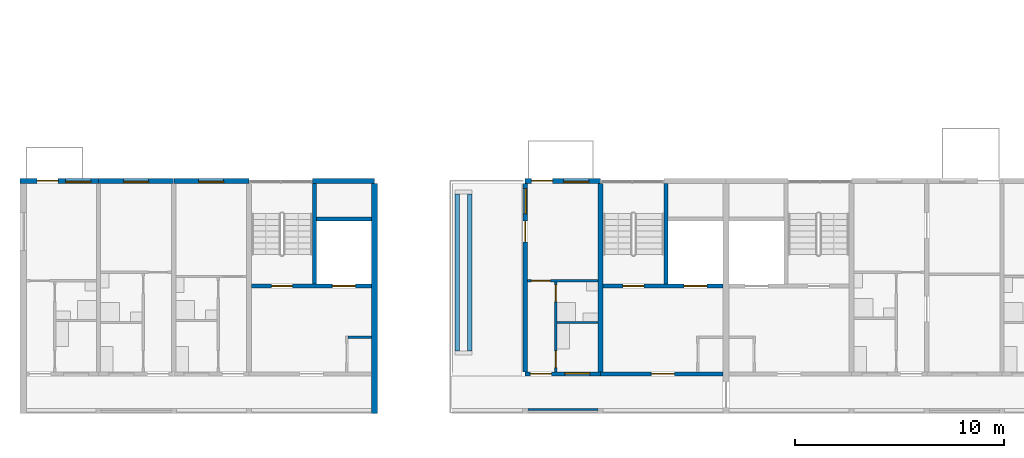
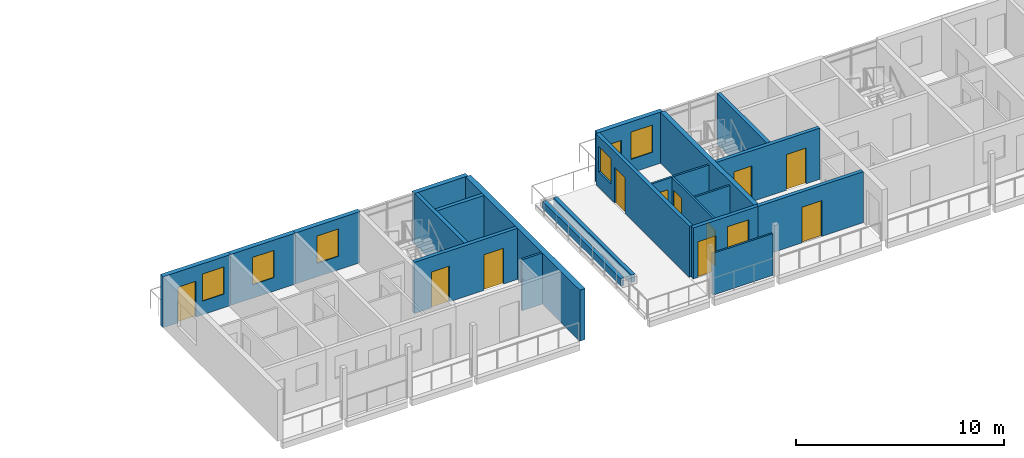
# One storey, part 24 of 64: 22 walls, 12 doors, 6 windows, 18 openings.
"""IFC4 building model written with IfcOpenShell, lengths in metres."""

from ifc_helpers import new_model, si_unit, direction, frame, frame_2d, origin, place, context, subcontext, project, spatial, rectangle, extrude, material, layer, layer_set, type_object, element, fill, save


model = new_model("IFC4")

# Units and contexts
model_context = context("Model", 3, precision=1e-05, world=origin(), true_north=direction((0.0, 1.0)))
body_context = subcontext(model_context, "Body", "Model", "MODEL_VIEW")
ifc_project = project(units=[si_unit("LENGTHUNIT", "METRE"), si_unit("AREAUNIT", "SQUARE_METRE"), si_unit("VOLUMEUNIT", "CUBIC_METRE"), si_unit("PLANEANGLEUNIT", "RADIAN"), si_unit("MASSUNIT", "GRAM", prefix="KILO")], contexts=[model_context])

# Site, building, storey
site_placement = place(None, origin())
site = spatial("IfcSite", under=ifc_project, at=site_placement, CompositionType="ELEMENT")
building_placement = place(site_placement, origin())
building = spatial("IfcBuilding", under=site, at=building_placement, Name="Ridgestep Commons", CompositionType="ELEMENT")
storey_placement = place(building_placement, frame((0.0, 0.0, 33.0)))
storey = spatial("IfcBuildingStorey", under=building, at=storey_placement, Name="L11", CompositionType="ELEMENT", Elevation=33.0)

# Wall
ifc_material_1 = material(Name="Concrete C30/37", Category="concrete")
ifc_layer_1 = layer(ifc_material_1, 0.25)
ifc_layer_set_1 = layer_set([ifc_layer_1], Name="Core cross wall 250")
wall_type_1 = type_object("IfcWallType", Name="Core cross wall 250", PredefinedType="SHEAR", material=ifc_layer_set_1)
wall_1_placement = place(storey_placement, frame((39.60009765625, 13.75, 0.0), z_axis=(0.0, 0.0, 1.0), x_axis=(0.0, 1.0, 0.0)))
element("IfcWall", 1, at=wall_1_placement, inside=storey, type_object=wall_type_1, Name="Cross wall A-11-0396", PredefinedType="SHEAR", context=body_context, shape_type="SweptSolid", body=[
    extrude(rectangle(XDim=9.0, YDim=0.25, at=frame_2d((4.5, 0.0))), origin(), (0.0, 0.0, 1.0), 3.0),
])

# Wall, opening, door
ifc_material_2 = material(Name="Concrete C30/37", Category="concrete")
ifc_layer_2 = layer(ifc_material_2, 0.199951171875)
ifc_layer_set_2 = layer_set([ifc_layer_2], Name="Core south wall 200")
wall_type_2 = type_object("IfcWallType", Name="Core south wall 200", PredefinedType="SHEAR", material=ifc_layer_set_2)
wall_2_placement = place(storey_placement, frame((39.60009765625, 13.64990234375, 0.0), z_axis=(0.0, 0.0, 1.0), x_axis=(1.0, 0.0, 0.0)))
wall_2 = element("IfcWall", 2, at=wall_2_placement, inside=storey, type_object=wall_type_2, Name="Core south wall A2C L11", PredefinedType="SHEAR", context=body_context, shape_type="SweptSolid", body=[
    extrude(rectangle(XDim=5.849853515625, YDim=0.199951171875, at=frame_2d((2.9248046875, 0.0))), origin(), (0.0, 0.0, 1.0), 3.0),
])
opening_1_placement = place(wall_2_placement, frame((2.4375, 0.0, 0.0)))
opening_1 = element("IfcOpeningElement", 3, at=opening_1_placement, cuts=wall_2, Name="Opening A2C/11/1", PredefinedType="OPENING", context=body_context, shape_type="SweptSolid", body=[
    extrude(rectangle(XDim=1.10009765625, YDim=2.10009765625, at=frame_2d((0.550048828125, 1.050048828125))), frame((0.0, 0.10986328125, 0.0), z_axis=(0.0, -1.0, 0.0), x_axis=(1.0, 0.0, 0.0)), (0.0, 0.0, 1.0), 0.219970703125),
])
ifc_material_3 = material(Name="Steel fire door", Category="steel")
door_type_1 = type_object("IfcDoorType", Name="Lobby door 1100 x 2100 FD60", OperationType="NOTDEFINED", PredefinedType="DOOR", material=ifc_material_3)
door_1_placement = place(opening_1_placement, origin())
door_1 = element("IfcDoor", 4, at=door_1_placement, inside=storey, type_object=door_type_1, Name="Lobby door A2C/11/1", OperationType="SINGLE_SWING_LEFT", OverallHeight=2.10009765625, OverallWidth=1.10009765625, PredefinedType="DOOR", context=body_context, shape_type="SweptSolid", body=[
    extrude(rectangle(XDim=1.10009765625, YDim=2.10009765625, at=frame_2d((0.550048828125, 1.050048828125))), frame((0.0, 0.02490234375, 0.0), z_axis=(0.0, -1.0, 0.0), x_axis=(1.0, 0.0, 0.0)), (0.0, 0.0, 1.0), 0.050048828125),
])
fill(opening_1, door_1)

# Wall
ifc_material_4 = material(Name="Concrete C30/37", Category="concrete")
ifc_layer_3 = layer(ifc_material_4, 0.1201171875)
ifc_layer_set_3 = layer_set([ifc_layer_3], Name="Core wall 120")
wall_type_3 = type_object("IfcWallType", Name="Core wall 120", PredefinedType="SHEAR", material=ifc_layer_set_3)
wall_3_placement = place(storey_placement, frame((27.52001953125, 15.409912109375, 0.0), z_axis=(0.0, 0.0, 1.0), x_axis=(1.0, 0.0, 0.0)))
element("IfcWall", 5, at=wall_3_placement, inside=storey, type_object=wall_type_3, Name="Core riser n wall A1C L11", PredefinedType="SHEAR", context=body_context, shape_type="SweptSolid", body=[
    extrude(rectangle(XDim=1.1298828125, YDim=0.1201171875, at=frame_2d((0.56494140625, 0.0))), origin(), (0.0, 0.0, 1.0), 3.0),
])

# Wall, openings, doors
ifc_material_5 = material(Name="Concrete C30/37", Category="concrete")
ifc_layer_4 = layer(ifc_material_5, 0.199951171875)
ifc_layer_set_4 = layer_set([ifc_layer_4], Name="Core wall 200")
wall_type_4 = type_object("IfcWallType", Name="Core wall 200", PredefinedType="SHEAR", material=ifc_layer_set_4)
wall_4_placement = place(storey_placement, frame((22.925048828125, 17.85009765625, 0.0), z_axis=(0.0, 0.0, 1.0), x_axis=(1.0, 0.0, 0.0)))
wall_4 = element("IfcWall", 6, at=wall_4_placement, inside=storey, type_object=wall_type_4, Name="Core lobby wall A1C L11", PredefinedType="SHEAR", context=body_context, shape_type="SweptSolid", body=[
    extrude(rectangle(XDim=5.724853515625, YDim=0.199951171875, at=frame_2d((2.8623046875, 0.0))), origin(), (0.0, 0.0, 1.0), 3.0),
])
opening_2_placement = place(wall_4_placement, frame((0.949951171875, 0.0, 0.0)))
opening_2 = element("IfcOpeningElement", 7, at=opening_2_placement, cuts=wall_4, Name="Opening A1C/11/2", PredefinedType="OPENING", context=body_context, shape_type="SweptSolid", body=[
    extrude(rectangle(XDim=1.0, YDim=2.10009765625, at=frame_2d((0.5, 1.050048828125))), frame((0.0, 0.10986328125, 0.0), z_axis=(0.0, -1.0, 0.0), x_axis=(1.0, 0.0, 0.0)), (0.0, 0.0, 1.0), 0.219970703125),
])
opening_3_placement = place(wall_4_placement, frame((3.862548828125, 0.0, 0.0)))
opening_3 = element("IfcOpeningElement", 8, at=opening_3_placement, cuts=wall_4, Name="Opening A1C/11/3", PredefinedType="OPENING", context=body_context, shape_type="SweptSolid", body=[
    extrude(rectangle(XDim=1.10009765625, YDim=2.10009765625, at=frame_2d((0.550048828125, 1.050048828125))), frame((0.0, 0.10986328125, 0.0), z_axis=(0.0, -1.0, 0.0), x_axis=(1.0, 0.0, 0.0)), (0.0, 0.0, 1.0), 0.219970703125),
])
ifc_material_6 = material(Name="Stainless steel", Category="steel")
door_type_2 = type_object("IfcDoorType", Name="Lift landing door 1100 x 2100 FD60", OperationType="DOUBLE_DOOR_SLIDING", PredefinedType="DOOR", material=ifc_material_6)
door_2_placement = place(opening_3_placement, origin())
door_2 = element("IfcDoor", 9, at=door_2_placement, inside=storey, type_object=door_type_2, Name="Landing door LD A1C L11", OperationType="DOUBLE_DOOR_SLIDING", OverallHeight=2.10009765625, OverallWidth=1.10009765625, PredefinedType="DOOR", context=body_context, shape_type="SweptSolid", body=[
    extrude(rectangle(XDim=1.10009765625, YDim=2.10009765625, at=frame_2d((0.550048828125, 1.050048828125))), frame((0.0, 0.02490234375, 0.0), z_axis=(0.0, -1.0, 0.0), x_axis=(1.0, 0.0, 0.0)), (0.0, 0.0, 1.0), 0.050048828125),
])
fill(opening_3, door_2)
ifc_material_7 = material(Name="Steel fire door", Category="steel")
door_type_3 = type_object("IfcDoorType", Name="Stair door 1000 x 2100 FD60", OperationType="NOTDEFINED", PredefinedType="DOOR", material=ifc_material_7)
door_3_placement = place(opening_2_placement, origin())
door_3 = element("IfcDoor", 10, at=door_3_placement, inside=storey, type_object=door_type_3, Name="Stair door A1C/11/2", OperationType="SINGLE_SWING_RIGHT", OverallHeight=2.10009765625, OverallWidth=1.0, PredefinedType="DOOR", context=body_context, shape_type="SweptSolid", body=[
    extrude(rectangle(XDim=1.0, YDim=2.10009765625, at=frame_2d((0.5, 1.050048828125))), frame((0.0, 0.02490234375, 0.0), z_axis=(0.0, -1.0, 0.0), x_axis=(1.0, 0.0, 0.0)), (0.0, 0.0, 1.0), 0.050048828125),
])
fill(opening_2, door_3)

# Walls
wall_5_placement = place(storey_placement, frame((25.925048828125, 17.949951171875, 0.0), z_axis=(0.0, 0.0, 1.0), x_axis=(0.0, 1.0, 0.0)))
element("IfcWall", 11, at=wall_5_placement, inside=storey, type_object=wall_type_4, Name="Core stair wall A1C L11", PredefinedType="SHEAR", context=body_context, shape_type="SweptSolid", body=[
    extrude(rectangle(XDim=4.800048828125, YDim=0.199951171875, at=frame_2d((2.39990234375, 0.0))), origin(), (0.0, 0.0, 1.0), 3.0),
])
wall_6_placement = place(storey_placement, frame((26.02490234375, 21.050048828125, 0.0), z_axis=(0.0, 0.0, 1.0), x_axis=(1.0, 0.0, 0.0)))
element("IfcWall", 12, at=wall_6_placement, inside=storey, type_object=wall_type_4, Name="Core duct wall A1C L11", PredefinedType="SHEAR", context=body_context, shape_type="SweptSolid", body=[
    extrude(rectangle(XDim=2.625, YDim=0.199951171875, at=frame_2d((1.3125, 0.0))), origin(), (0.0, 0.0, 1.0), 3.0),
])

# Wall, openings, doors
wall_7_placement = place(storey_placement, frame((39.72509765625, 17.85009765625, 0.0), z_axis=(0.0, 0.0, 1.0), x_axis=(1.0, 0.0, 0.0)))
wall_7 = element("IfcWall", 13, at=wall_7_placement, inside=storey, type_object=wall_type_4, Name="Core lobby wall A2C L11", PredefinedType="SHEAR", context=body_context, shape_type="SweptSolid", body=[
    extrude(rectangle(XDim=5.724853515625, YDim=0.199951171875, at=frame_2d((2.8623046875, 0.0))), origin(), (0.0, 0.0, 1.0), 3.0),
])
opening_4_placement = place(wall_7_placement, frame((0.949951171875, 0.0, 0.0)))
opening_4 = element("IfcOpeningElement", 14, at=opening_4_placement, cuts=wall_7, Name="Opening A2C/11/2", PredefinedType="OPENING", context=body_context, shape_type="SweptSolid", body=[
    extrude(rectangle(XDim=1.0, YDim=2.10009765625, at=frame_2d((0.5, 1.050048828125))), frame((0.0, 0.10986328125, 0.0), z_axis=(0.0, -1.0, 0.0), x_axis=(1.0, 0.0, 0.0)), (0.0, 0.0, 1.0), 0.219970703125),
])
opening_5_placement = place(wall_7_placement, frame((3.862548828125, 0.0, 0.0)))
opening_5 = element("IfcOpeningElement", 15, at=opening_5_placement, cuts=wall_7, Name="Opening A2C/11/3", PredefinedType="OPENING", context=body_context, shape_type="SweptSolid", body=[
    extrude(rectangle(XDim=1.10009765625, YDim=2.10009765625, at=frame_2d((0.550048828125, 1.050048828125))), frame((0.0, 0.10986328125, 0.0), z_axis=(0.0, -1.0, 0.0), x_axis=(1.0, 0.0, 0.0)), (0.0, 0.0, 1.0), 0.219970703125),
])
door_4_placement = place(opening_5_placement, origin())
door_4 = element("IfcDoor", 16, at=door_4_placement, inside=storey, type_object=door_type_2, Name="Landing door LD A2C L11", OperationType="DOUBLE_DOOR_SLIDING", OverallHeight=2.10009765625, OverallWidth=1.10009765625, PredefinedType="DOOR", context=body_context, shape_type="SweptSolid", body=[
    extrude(rectangle(XDim=1.10009765625, YDim=2.10009765625, at=frame_2d((0.550048828125, 1.050048828125))), frame((0.0, 0.02490234375, 0.0), z_axis=(0.0, -1.0, 0.0), x_axis=(1.0, 0.0, 0.0)), (0.0, 0.0, 1.0), 0.050048828125),
])
fill(opening_5, door_4)
door_5_placement = place(opening_4_placement, origin())
door_5 = element("IfcDoor", 17, at=door_5_placement, inside=storey, type_object=door_type_3, Name="Stair door A2C/11/2", OperationType="SINGLE_SWING_RIGHT", OverallHeight=2.10009765625, OverallWidth=1.0, PredefinedType="DOOR", context=body_context, shape_type="SweptSolid", body=[
    extrude(rectangle(XDim=1.0, YDim=2.10009765625, at=frame_2d((0.5, 1.050048828125))), frame((0.0, 0.02490234375, 0.0), z_axis=(0.0, -1.0, 0.0), x_axis=(1.0, 0.0, 0.0)), (0.0, 0.0, 1.0), 0.050048828125),
])
fill(opening_4, door_5)

# Wall
wall_8_placement = place(storey_placement, frame((42.72509765625, 17.949951171875, 0.0), z_axis=(0.0, 0.0, 1.0), x_axis=(0.0, 1.0, 0.0)))
element("IfcWall", 18, at=wall_8_placement, inside=storey, type_object=wall_type_4, Name="Core stair wall A2C L11", PredefinedType="SHEAR", context=body_context, shape_type="SweptSolid", body=[
    extrude(rectangle(XDim=4.800048828125, YDim=0.199951171875, at=frame_2d((2.39990234375, 0.0))), origin(), (0.0, 0.0, 1.0), 3.0),
])

# Wall, openings, window, door
ifc_material_8 = material(Name="Precast concrete C40/50", Category="concrete")
ifc_layer_5 = layer(ifc_material_8, 0.199951171875)
ifc_layer_set_5 = layer_set([ifc_layer_5], Name="Exposed cross wall 200")
wall_type_5 = type_object("IfcWallType", Name="Exposed cross wall 200", PredefinedType="SHEAR", material=ifc_layer_set_5)
wall_9_placement = place(storey_placement, frame((36.0, 13.75, 0.0), z_axis=(0.0, 0.0, 1.0), x_axis=(0.0, 1.0, 0.0)))
wall_9 = element("IfcWall", 19, at=wall_9_placement, inside=storey, type_object=wall_type_5, Name="Cross wall A-11-0360", PredefinedType="SHEAR", context=body_context, shape_type="SweptSolid", body=[
    extrude(rectangle(XDim=9.0, YDim=0.199951171875, at=frame_2d((4.5, 0.0))), origin(), (0.0, 0.0, 1.0), 3.0),
])
opening_6_placement = place(wall_9_placement, frame((7.552490234375, 0.0, 0.89990234375)))
opening_6 = element("IfcOpeningElement", 20, at=opening_6_placement, cuts=wall_9, Name="Opening W10", PredefinedType="OPENING", context=body_context, shape_type="SweptSolid", body=[
    extrude(rectangle(XDim=1.199951171875, YDim=1.5, at=frame_2d((0.60009765625, 0.75))), frame((0.0, 0.10986328125, 0.0), z_axis=(0.0, -1.0, 0.0), x_axis=(1.0, 0.0, 0.0)), (0.0, 0.0, 1.0), 0.219970703125),
])
opening_7_placement = place(wall_9_placement, frame((6.205078125, 0.0, 0.0)))
opening_7 = element("IfcOpeningElement", 21, at=opening_7_placement, cuts=wall_9, Name="Opening A2-11a/5", PredefinedType="OPENING", context=body_context, shape_type="SweptSolid", body=[
    extrude(rectangle(XDim=1.0, YDim=2.10009765625, at=frame_2d((0.5, 1.050048828125))), frame((0.0, 0.10986328125, 0.0), z_axis=(0.0, -1.0, 0.0), x_axis=(1.0, 0.0, 0.0)), (0.0, 0.0, 1.0), 0.219970703125),
])
ifc_material_9 = material(Name="Aluminium 6063-T6 and glass", Category="aluminium")
window_type_1 = type_object("IfcWindowType", Name="Flat window 1200 x 1500", PartitioningType="SINGLE_PANEL", PredefinedType="WINDOW", material=ifc_material_9)
window_1_placement = place(opening_6_placement, origin())
window_1 = element("IfcWindow", 22, at=window_1_placement, inside=storey, type_object=window_type_1, Name="Window A2-11a 3", OverallHeight=1.5, OverallWidth=1.199951171875, PartitioningType="SINGLE_PANEL", PredefinedType="WINDOW", context=body_context, shape_type="SweptSolid", body=[
    extrude(rectangle(XDim=1.199951171875, YDim=1.5, at=frame_2d((0.60009765625, 0.75))), frame((0.0, 0.0, 0.0), z_axis=(0.0, -1.0, 0.0), x_axis=(1.0, 0.0, 0.0)), (0.0, 0.0, 1.0), 0.06005859375),
])
fill(opening_6, window_1)
ifc_material_10 = material(Name="Aluminium and glass", Category="aluminium")
door_type_4 = type_object("IfcDoorType", Name="Terrace door 1000 x 2100", OperationType="NOTDEFINED", PredefinedType="DOOR", material=ifc_material_10)
door_6_placement = place(opening_7_placement, origin())
door_6 = element("IfcDoor", 23, at=door_6_placement, inside=storey, type_object=door_type_4, Name="Terrace door A2-11a/5", OperationType="SINGLE_SWING_RIGHT", OverallHeight=2.10009765625, OverallWidth=1.0, PredefinedType="DOOR", context=body_context, shape_type="SweptSolid", body=[
    extrude(rectangle(XDim=1.0, YDim=2.10009765625, at=frame_2d((0.5, 1.050048828125))), frame((0.0, 0.02490234375, 0.0), z_axis=(0.0, -1.0, 0.0), x_axis=(1.0, 0.0, 0.0)), (0.0, 0.0, 1.0), 0.050048828125),
])
fill(opening_7, door_6)

# Wall
ifc_material_11 = material(Name="Precast concrete C40/50", Category="concrete")
ifc_layer_6 = layer(ifc_material_11, 0.300048828125)
ifc_layer_set_6 = layer_set([ifc_layer_6], Name="Exposed division wall 300")
wall_type_6 = type_object("IfcWallType", Name="Exposed division wall 300", PredefinedType="SHEAR", material=ifc_layer_set_6)
wall_10_placement = place(storey_placement, frame((28.800048828125, 11.75, 0.0), z_axis=(0.0, 0.0, 1.0), x_axis=(0.0, 1.0, 0.0)))
element("IfcWall", 24, at=wall_10_placement, inside=storey, type_object=wall_type_6, Name="Cross wall A-11-0288", PredefinedType="SHEAR", context=body_context, shape_type="SweptSolid", body=[
    extrude(rectangle(XDim=11.0, YDim=0.300048828125, at=frame_2d((5.5, 0.0))), origin(), (0.0, 0.0, 1.0), 3.0),
])

# Wall, openings, door, window
ifc_material_12 = material(Name="Precast concrete C40/50", Category="concrete")
ifc_layer_7 = layer(ifc_material_12, 0.25)
ifc_layer_set_7 = layer_set([ifc_layer_7], Name="North facade panel 250")
wall_type_7 = type_object("IfcWallType", Name="North facade panel 250", PredefinedType="SOLIDWALL", material=ifc_layer_set_7)
wall_11_placement = place(storey_placement, frame((11.85009765625, 22.875, 0.0), z_axis=(0.0, 0.0, 1.0), x_axis=(1.0, 0.0, 0.0)))
wall_11 = element("IfcWall", 25, at=wall_11_placement, inside=storey, type_object=wall_type_7, Name="North panel A1T1 L11", PredefinedType="SOLIDWALL", context=body_context, shape_type="SweptSolid", body=[
    extrude(rectangle(XDim=3.75, YDim=0.25, at=frame_2d((1.875, 0.0))), origin(), (0.0, 0.0, 1.0), 3.0),
])
opening_8_placement = place(wall_11_placement, frame((2.1845703125, 0.0, 0.800048828125)))
opening_8 = element("IfcOpeningElement", 26, at=opening_8_placement, cuts=wall_11, Name="Opening W11", PredefinedType="OPENING", context=body_context, shape_type="SweptSolid", body=[
    extrude(rectangle(XDim=1.199951171875, YDim=1.60009765625, at=frame_2d((0.60009765625, 0.800048828125))), frame((0.0, 0.135009765625, 0.0), z_axis=(0.0, -1.0, 0.0), x_axis=(1.0, 0.0, 0.0)), (0.0, 0.0, 1.0), 0.27001953125),
])
opening_9_placement = place(wall_11_placement, frame((0.819091796875, 0.0, 0.0)))
opening_9 = element("IfcOpeningElement", 27, at=opening_9_placement, cuts=wall_11, Name="Opening A1-11a/5", PredefinedType="OPENING", context=body_context, shape_type="SweptSolid", body=[
    extrude(rectangle(XDim=1.0, YDim=2.10009765625, at=frame_2d((0.5, 1.050048828125))), frame((0.0, 0.135009765625, 0.0), z_axis=(0.0, -1.0, 0.0), x_axis=(1.0, 0.0, 0.0)), (0.0, 0.0, 1.0), 0.27001953125),
])
ifc_material_13 = material(Name="Aluminium and glass", Category="aluminium")
door_type_5 = type_object("IfcDoorType", Name="Balcony door 1000 x 2100", OperationType="NOTDEFINED", PredefinedType="DOOR", material=ifc_material_13)
door_7_placement = place(opening_9_placement, origin())
door_7 = element("IfcDoor", 28, at=door_7_placement, inside=storey, type_object=door_type_5, Name="Balcony door A1-11a/5", OperationType="SINGLE_SWING_RIGHT", OverallHeight=2.10009765625, OverallWidth=1.0, PredefinedType="DOOR", context=body_context, shape_type="SweptSolid", body=[
    extrude(rectangle(XDim=1.0, YDim=2.10009765625, at=frame_2d((0.5, 1.050048828125))), frame((0.0, 0.02490234375, 0.0), z_axis=(0.0, -1.0, 0.0), x_axis=(1.0, 0.0, 0.0)), (0.0, 0.0, 1.0), 0.050048828125),
])
fill(opening_9, door_7)
ifc_material_14 = material(Name="Aluminium 6063-T6 and glass", Category="aluminium")
window_type_2 = type_object("IfcWindowType", Name="Flat window 1200 x 1600", PartitioningType="SINGLE_PANEL", PredefinedType="WINDOW", material=ifc_material_14)
window_2_placement = place(opening_8_placement, origin())
window_2 = element("IfcWindow", 29, at=window_2_placement, inside=storey, type_object=window_type_2, Name="Window A1-11a 2", OverallHeight=1.60009765625, OverallWidth=1.199951171875, PartitioningType="SINGLE_PANEL", PredefinedType="WINDOW", context=body_context, shape_type="SweptSolid", body=[
    extrude(rectangle(XDim=1.199951171875, YDim=1.60009765625, at=frame_2d((0.60009765625, 0.800048828125))), frame((0.0, -0.02490234375, 0.0), z_axis=(0.0, -1.0, 0.0), x_axis=(1.0, 0.0, 0.0)), (0.0, 0.0, 1.0), 0.06005859375),
])
fill(opening_8, window_2)

# Wall, opening, window
wall_12_placement = place(storey_placement, frame((15.60009765625, 22.875, 0.0), z_axis=(0.0, 0.0, 1.0), x_axis=(1.0, 0.0, 0.0)))
wall_12 = element("IfcWall", 30, at=wall_12_placement, inside=storey, type_object=wall_type_7, Name="North panel A1T2 L11", PredefinedType="SOLIDWALL", context=body_context, shape_type="SweptSolid", body=[
    extrude(rectangle(XDim=3.599853515625, YDim=0.25, at=frame_2d((1.7998046875, 0.0))), origin(), (0.0, 0.0, 1.0), 3.0),
])
opening_10_placement = place(wall_12_placement, frame((1.199951171875, 0.0, 0.800048828125)))
opening_10 = element("IfcOpeningElement", 31, at=opening_10_placement, cuts=wall_12, Name="Opening W11", PredefinedType="OPENING", context=body_context, shape_type="SweptSolid", body=[
    extrude(rectangle(XDim=1.199951171875, YDim=1.60009765625, at=frame_2d((0.60009765625, 0.800048828125))), frame((0.0, 0.135009765625, 0.0), z_axis=(0.0, -1.0, 0.0), x_axis=(1.0, 0.0, 0.0)), (0.0, 0.0, 1.0), 0.27001953125),
])
window_3_placement = place(opening_10_placement, origin())
window_3 = element("IfcWindow", 32, at=window_3_placement, inside=storey, type_object=window_type_2, Name="Window A1-11b 2", OverallHeight=1.60009765625, OverallWidth=1.199951171875, PartitioningType="SINGLE_PANEL", PredefinedType="WINDOW", context=body_context, shape_type="SweptSolid", body=[
    extrude(rectangle(XDim=1.199951171875, YDim=1.60009765625, at=frame_2d((0.60009765625, 0.800048828125))), frame((0.0, -0.02490234375, 0.0), z_axis=(0.0, -1.0, 0.0), x_axis=(1.0, 0.0, 0.0)), (0.0, 0.0, 1.0), 0.06005859375),
])
fill(opening_10, window_3)

wall_13_placement = place(storey_placement, frame((19.199951171875, 22.875, 0.0), z_axis=(0.0, 0.0, 1.0), x_axis=(1.0, 0.0, 0.0)))
wall_13 = element("IfcWall", 33, at=wall_13_placement, inside=storey, type_object=wall_type_7, Name="North panel A1T3 L11", PredefinedType="SOLIDWALL", context=body_context, shape_type="SweptSolid", body=[
    extrude(rectangle(XDim=3.60009765625, YDim=0.25, at=frame_2d((1.800048828125, 0.0))), origin(), (0.0, 0.0, 1.0), 3.0),
])
opening_11_placement = place(wall_13_placement, frame((1.1875, 0.0, 0.800048828125)))
opening_11 = element("IfcOpeningElement", 34, at=opening_11_placement, cuts=wall_13, Name="Opening W11", PredefinedType="OPENING", context=body_context, shape_type="SweptSolid", body=[
    extrude(rectangle(XDim=1.199951171875, YDim=1.60009765625, at=frame_2d((0.60009765625, 0.800048828125))), frame((0.0, 0.135009765625, 0.0), z_axis=(0.0, -1.0, 0.0), x_axis=(1.0, 0.0, 0.0)), (0.0, 0.0, 1.0), 0.27001953125),
])
window_4_placement = place(opening_11_placement, origin())
window_4 = element("IfcWindow", 35, at=window_4_placement, inside=storey, type_object=window_type_2, Name="Window A1-11c 2", OverallHeight=1.60009765625, OverallWidth=1.199951171875, PartitioningType="SINGLE_PANEL", PredefinedType="WINDOW", context=body_context, shape_type="SweptSolid", body=[
    extrude(rectangle(XDim=1.199951171875, YDim=1.60009765625, at=frame_2d((0.60009765625, 0.800048828125))), frame((0.0, -0.02490234375, 0.0), z_axis=(0.0, -1.0, 0.0), x_axis=(1.0, 0.0, 0.0)), (0.0, 0.0, 1.0), 0.06005859375),
])
fill(opening_11, window_4)

# Wall
wall_14_placement = place(storey_placement, frame((25.824951171875, 22.875, 0.0), z_axis=(0.0, 0.0, 1.0), x_axis=(1.0, 0.0, 0.0)))
element("IfcWall", 36, at=wall_14_placement, inside=storey, type_object=wall_type_7, Name="North panel A1C L11", PredefinedType="SOLIDWALL", context=body_context, shape_type="SweptSolid", body=[
    extrude(rectangle(XDim=2.97509765625, YDim=0.25, at=frame_2d((1.487548828125, 0.0))), origin(), (0.0, 0.0, 1.0), 3.0),
])

# Wall, openings, door, window
wall_15_placement = place(storey_placement, frame((36.0, 22.875, 0.0), z_axis=(0.0, 0.0, 1.0), x_axis=(1.0, 0.0, 0.0)))
wall_15 = element("IfcWall", 37, at=wall_15_placement, inside=storey, type_object=wall_type_7, Name="North panel A2T3 L11", PredefinedType="SOLIDWALL", context=body_context, shape_type="SweptSolid", body=[
    extrude(rectangle(XDim=3.60009765625, YDim=0.25, at=frame_2d((1.800048828125, 0.0))), origin(), (0.0, 0.0, 1.0), 3.0),
])
opening_12_placement = place(wall_15_placement, frame((1.841064453125, 0.0, 0.800048828125)))
opening_12 = element("IfcOpeningElement", 38, at=opening_12_placement, cuts=wall_15, Name="Opening W11", PredefinedType="OPENING", context=body_context, shape_type="SweptSolid", body=[
    extrude(rectangle(XDim=1.199951171875, YDim=1.60009765625, at=frame_2d((0.60009765625, 0.800048828125))), frame((0.0, 0.135009765625, 0.0), z_axis=(0.0, -1.0, 0.0), x_axis=(1.0, 0.0, 0.0)), (0.0, 0.0, 1.0), 0.27001953125),
])
opening_13_placement = place(wall_15_placement, frame((0.306884765625, 0.0, 0.0)))
opening_13 = element("IfcOpeningElement", 39, at=opening_13_placement, cuts=wall_15, Name="Opening A2-11a/6", PredefinedType="OPENING", context=body_context, shape_type="SweptSolid", body=[
    extrude(rectangle(XDim=1.0, YDim=2.10009765625, at=frame_2d((0.5, 1.050048828125))), frame((0.0, 0.135009765625, 0.0), z_axis=(0.0, -1.0, 0.0), x_axis=(1.0, 0.0, 0.0)), (0.0, 0.0, 1.0), 0.27001953125),
])
door_8_placement = place(opening_13_placement, origin())
door_8 = element("IfcDoor", 40, at=door_8_placement, inside=storey, type_object=door_type_5, Name="Balcony door A2-11a/6", OperationType="SINGLE_SWING_RIGHT", OverallHeight=2.10009765625, OverallWidth=1.0, PredefinedType="DOOR", context=body_context, shape_type="SweptSolid", body=[
    extrude(rectangle(XDim=1.0, YDim=2.10009765625, at=frame_2d((0.5, 1.050048828125))), frame((0.0, 0.02490234375, 0.0), z_axis=(0.0, -1.0, 0.0), x_axis=(1.0, 0.0, 0.0)), (0.0, 0.0, 1.0), 0.050048828125),
])
fill(opening_13, door_8)
window_5_placement = place(opening_12_placement, origin())
window_5 = element("IfcWindow", 41, at=window_5_placement, inside=storey, type_object=window_type_2, Name="Window A2-11a 2", OverallHeight=1.60009765625, OverallWidth=1.199951171875, PartitioningType="SINGLE_PANEL", PredefinedType="WINDOW", context=body_context, shape_type="SweptSolid", body=[
    extrude(rectangle(XDim=1.199951171875, YDim=1.60009765625, at=frame_2d((0.60009765625, 0.800048828125))), frame((0.0, -0.02490234375, 0.0), z_axis=(0.0, -1.0, 0.0), x_axis=(1.0, 0.0, 0.0)), (0.0, 0.0, 1.0), 0.06005859375),
])
fill(opening_12, window_5)

# Wall, openings, doors
ifc_material_15 = material(Name="Common brick 110 mm", Category="masonry")
ifc_layer_8 = layer(ifc_material_15, 0.110107421875)
ifc_layer_set_8 = layer_set([ifc_layer_8], Name="Partition 110")
wall_type_8 = type_object("IfcWallType", Name="Partition 110", PredefinedType="PARTITIONING", material=ifc_layer_set_8)
wall_16_placement = place(storey_placement, frame((37.455078125, 13.75, 0.0), z_axis=(0.0, 0.0, 1.0), x_axis=(0.0, 1.0, 0.0)))
wall_16 = element("IfcWall", 42, at=wall_16_placement, inside=storey, type_object=wall_type_8, Name="Partition A2-11a", PredefinedType="PARTITIONING", context=body_context, shape_type="SweptSolid", body=[
    extrude(rectangle(XDim=4.300048828125, YDim=0.110107421875, at=frame_2d((2.14990234375, 0.0))), origin(), (0.0, 0.0, 1.0), 2.75),
])
opening_14_placement = place(wall_16_placement, frame((0.199951171875, 0.0, 0.0)))
opening_14 = element("IfcOpeningElement", 43, at=opening_14_placement, cuts=wall_16, Name="Opening A2-11a/2", PredefinedType="OPENING", context=body_context, shape_type="SweptSolid", body=[
    extrude(rectangle(XDim=0.800048828125, YDim=2.10009765625, at=frame_2d((0.39990234375, 1.050048828125))), frame((0.0, 0.06494140625, 0.0), z_axis=(0.0, -1.0, 0.0), x_axis=(1.0, 0.0, 0.0)), (0.0, 0.0, 1.0), 0.130126953125),
])
opening_15_placement = place(wall_16_placement, frame((3.35009765625, 0.0, 0.0)))
opening_15 = element("IfcOpeningElement", 44, at=opening_15_placement, cuts=wall_16, Name="Opening A2-11a/3", PredefinedType="OPENING", context=body_context, shape_type="SweptSolid", body=[
    extrude(rectangle(XDim=0.800048828125, YDim=2.10009765625, at=frame_2d((0.39990234375, 1.050048828125))), frame((0.0, 0.06494140625, 0.0), z_axis=(0.0, -1.0, 0.0), x_axis=(1.0, 0.0, 0.0)), (0.0, 0.0, 1.0), 0.130126953125),
])
ifc_material_16 = material(Name="Timber door leaf", Category="wood")
door_type_6 = type_object("IfcDoorType", Name="Internal door 800 x 2100", OperationType="NOTDEFINED", PredefinedType="DOOR", material=ifc_material_16)
door_9_placement = place(opening_14_placement, origin())
door_9 = element("IfcDoor", 45, at=door_9_placement, inside=storey, type_object=door_type_6, Name="Internal door A2-11a/2", OperationType="SINGLE_SWING_RIGHT", OverallHeight=2.10009765625, OverallWidth=0.800048828125, PredefinedType="DOOR", context=body_context, shape_type="SweptSolid", body=[
    extrude(rectangle(XDim=0.800048828125, YDim=2.10009765625, at=frame_2d((0.39990234375, 1.050048828125))), frame((0.0, 0.02490234375, 0.0), z_axis=(0.0, -1.0, 0.0), x_axis=(1.0, 0.0, 0.0)), (0.0, 0.0, 1.0), 0.050048828125),
])
fill(opening_14, door_9)
door_10_placement = place(opening_15_placement, origin())
door_10 = element("IfcDoor", 46, at=door_10_placement, inside=storey, type_object=door_type_6, Name="Internal door A2-11a/3", OperationType="SINGLE_SWING_LEFT", OverallHeight=2.10009765625, OverallWidth=0.800048828125, PredefinedType="DOOR", context=body_context, shape_type="SweptSolid", body=[
    extrude(rectangle(XDim=0.800048828125, YDim=2.10009765625, at=frame_2d((0.39990234375, 1.050048828125))), frame((0.0, 0.02490234375, 0.0), z_axis=(0.0, -1.0, 0.0), x_axis=(1.0, 0.0, 0.0)), (0.0, 0.0, 1.0), 0.050048828125),
])
fill(opening_15, door_10)

# Wall
wall_17_placement = place(storey_placement, frame((37.510009765625, 16.10498046875, 0.0), z_axis=(0.0, 0.0, 1.0), x_axis=(1.0, 0.0, 0.0)))
element("IfcWall", 47, at=wall_17_placement, inside=storey, type_object=wall_type_8, Name="Partition A2-11a", PredefinedType="PARTITIONING", context=body_context, shape_type="SweptSolid", body=[
    extrude(rectangle(XDim=1.965087890625, YDim=0.110107421875, at=frame_2d((0.982421875, 0.0))), origin(), (0.0, 0.0, 1.0), 2.75),
])

# Wall, opening, door
wall_18_placement = place(storey_placement, frame((36.10009765625, 18.10498046875, 0.0), z_axis=(0.0, 0.0, 1.0), x_axis=(1.0, 0.0, 0.0)))
wall_18 = element("IfcWall", 48, at=wall_18_placement, inside=storey, type_object=wall_type_8, Name="Partition A2-11a", PredefinedType="PARTITIONING", context=body_context, shape_type="SweptSolid", body=[
    extrude(rectangle(XDim=3.375, YDim=0.110107421875, at=frame_2d((1.6875, 0.0))), origin(), (0.0, 0.0, 1.0), 2.75),
])
opening_16_placement = place(wall_18_placement, frame((0.199951171875, 0.0, 0.0)))
opening_16 = element("IfcOpeningElement", 49, at=opening_16_placement, cuts=wall_18, Name="Opening A2-11a/4", PredefinedType="OPENING", context=body_context, shape_type="SweptSolid", body=[
    extrude(rectangle(XDim=0.89990234375, YDim=2.10009765625, at=frame_2d((0.449951171875, 1.050048828125))), frame((0.0, 0.06494140625, 0.0), z_axis=(0.0, -1.0, 0.0), x_axis=(1.0, 0.0, 0.0)), (0.0, 0.0, 1.0), 0.130126953125),
])
ifc_material_17 = material(Name="Timber door leaf", Category="wood")
door_type_7 = type_object("IfcDoorType", Name="Internal door 900 x 2100", OperationType="NOTDEFINED", PredefinedType="DOOR", material=ifc_material_17)
door_11_placement = place(opening_16_placement, origin())
door_11 = element("IfcDoor", 50, at=door_11_placement, inside=storey, type_object=door_type_7, Name="Internal door A2-11a/4", OperationType="SINGLE_SWING_LEFT", OverallHeight=2.10009765625, OverallWidth=0.89990234375, PredefinedType="DOOR", context=body_context, shape_type="SweptSolid", body=[
    extrude(rectangle(XDim=0.89990234375, YDim=2.10009765625, at=frame_2d((0.449951171875, 1.050048828125))), frame((0.0, 0.02490234375, 0.0), z_axis=(0.0, -1.0, 0.0), x_axis=(1.0, 0.0, 0.0)), (0.0, 0.0, 1.0), 0.050048828125),
])
fill(opening_16, door_11)

# Walls
ifc_material_18 = material(Name="Precast concrete C30/37", Category="concrete")
ifc_layer_9 = layer(ifc_material_18, 0.10009765625)
ifc_layer_set_9 = layer_set([ifc_layer_9], Name="Perforated gallery screen 3350 x 2450 x 100")
wall_type_9 = type_object("IfcWallType", Name="Perforated gallery screen 3350 x 2450 x 100", PredefinedType="SOLIDWALL", material=ifc_layer_set_9)
wall_19_placement = place(storey_placement, frame((36.125, 11.949951171875, 0.0), z_axis=(0.0, 0.0, 1.0), x_axis=(1.0, 0.0, 0.0)))
element("IfcWall", 51, at=wall_19_placement, inside=storey, type_object=wall_type_9, Name="Gallery screen A2T3 11", PredefinedType="SOLIDWALL", context=body_context, shape_type="SweptSolid", body=[
    extrude(rectangle(XDim=3.35009765625, YDim=0.10009765625, at=frame_2d((1.675048828125, 0.0))), origin(), (0.0, 0.0, 1.0), 2.449951171875),
])
ifc_material_19 = material(Name="Facing brick", Category="masonry")
ifc_layer_10 = layer(ifc_material_19, 0.199951171875)
ifc_layer_set_10 = layer_set([ifc_layer_10], Name="Planter wall 200")
wall_type_10 = type_object("IfcWallType", Name="Planter wall 200", PredefinedType="SOLIDWALL", material=ifc_layer_set_10)
for number, where, z_axis, x_axis, name in (
    (52, (32.75, 14.75, 0.010009765625), (0.0, 0.0, 1.0), (0.0, 1.0, 0.0), "Planter wall A2R2W"),
    (53, (33.35009765625, 14.75, 0.010009765625), (0.0, 0.0, 1.0), (0.0, 1.0, 0.0), "Planter wall A2R2E"),
):
    element("IfcWall", number, at=place(storey_placement, frame(where, z_axis=z_axis, x_axis=x_axis)), inside=storey, type_object=wall_type_10, Name=name, PredefinedType="SOLIDWALL", context=body_context, shape_type="SweptSolid", body=[
        extrude(rectangle(XDim=7.5, YDim=0.199951171875, at=frame_2d((3.75, 0.0))), origin(), (0.0, 0.0, 1.0), 0.449951171875),
    ])

# Wall, openings, door, window
ifc_material_20 = material(Name="Precast concrete C40/50", Category="concrete")
ifc_layer_11 = layer(ifc_material_20, 0.199951171875)
ifc_layer_set_11 = layer_set([ifc_layer_11], Name="South facade panel 200")
wall_type_11 = type_object("IfcWallType", Name="South facade panel 200", PredefinedType="SOLIDWALL", material=ifc_layer_set_11)
wall_20_placement = place(storey_placement, frame((36.0, 13.64990234375, 0.0), z_axis=(0.0, 0.0, 1.0), x_axis=(1.0, 0.0, 0.0)))
wall_20 = element("IfcWall", 54, at=wall_20_placement, inside=storey, type_object=wall_type_11, Name="South panel A2T3 L11", PredefinedType="SOLIDWALL", context=body_context, shape_type="SweptSolid", body=[
    extrude(rectangle(XDim=3.60009765625, YDim=0.199951171875, at=frame_2d((1.800048828125, 0.0))), origin(), (0.0, 0.0, 1.0), 3.0),
])
opening_17_placement = place(wall_20_placement, frame((1.892578125, 0.0, 1.10009765625)))
opening_17 = element("IfcOpeningElement", 55, at=opening_17_placement, cuts=wall_20, Name="Opening W08", PredefinedType="OPENING", context=body_context, shape_type="SweptSolid", body=[
    extrude(rectangle(XDim=1.199951171875, YDim=1.300048828125, at=frame_2d((0.60009765625, 0.64990234375))), frame((0.0, 0.10986328125, 0.0), z_axis=(0.0, -1.0, 0.0), x_axis=(1.0, 0.0, 0.0)), (0.0, 0.0, 1.0), 0.219970703125),
])
opening_18_placement = place(wall_20_placement, frame((0.25, 0.0, 0.0)))
opening_18 = element("IfcOpeningElement", 56, at=opening_18_placement, cuts=wall_20, Name="Opening A2-11a/1", PredefinedType="OPENING", context=body_context, shape_type="SweptSolid", body=[
    extrude(rectangle(XDim=1.0, YDim=2.10009765625, at=frame_2d((0.5, 1.050048828125))), frame((0.0, 0.10986328125, 0.0), z_axis=(0.0, -1.0, 0.0), x_axis=(1.0, 0.0, 0.0)), (0.0, 0.0, 1.0), 0.219970703125),
])
ifc_material_21 = material(Name="Timber door leaf", Category="wood")
door_type_8 = type_object("IfcDoorType", Name="Flat entrance door 1000 x 2100 FD30S", OperationType="NOTDEFINED", PredefinedType="DOOR", material=ifc_material_21)
door_12_placement = place(opening_18_placement, origin())
door_12 = element("IfcDoor", 57, at=door_12_placement, inside=storey, type_object=door_type_8, Name="Flat entrance door A2-11a/1", OperationType="SINGLE_SWING_LEFT", OverallHeight=2.10009765625, OverallWidth=1.0, PredefinedType="DOOR", context=body_context, shape_type="SweptSolid", body=[
    extrude(rectangle(XDim=1.0, YDim=2.10009765625, at=frame_2d((0.5, 1.050048828125))), frame((0.0, 0.02490234375, 0.0), z_axis=(0.0, -1.0, 0.0), x_axis=(1.0, 0.0, 0.0)), (0.0, 0.0, 1.0), 0.050048828125),
])
fill(opening_18, door_12)
ifc_material_22 = material(Name="Aluminium 6063-T6 and glass", Category="aluminium")
window_type_3 = type_object("IfcWindowType", Name="Flat window 1200 x 1300", PartitioningType="SINGLE_PANEL", PredefinedType="WINDOW", material=ifc_material_22)
window_6_placement = place(opening_17_placement, origin())
window_6 = element("IfcWindow", 58, at=window_6_placement, inside=storey, type_object=window_type_3, Name="Window A2-11a 1", OverallHeight=1.300048828125, OverallWidth=1.199951171875, PartitioningType="SINGLE_PANEL", PredefinedType="WINDOW", context=body_context, shape_type="SweptSolid", body=[
    extrude(rectangle(XDim=1.199951171875, YDim=1.300048828125, at=frame_2d((0.60009765625, 0.64990234375))), frame((0.0, 0.06005859375, 0.0), z_axis=(0.0, -1.0, 0.0), x_axis=(1.0, 0.0, 0.0)), (0.0, 0.0, 1.0), 0.06005859375),
])
fill(opening_17, window_6)

save(model, "model.ifc")
